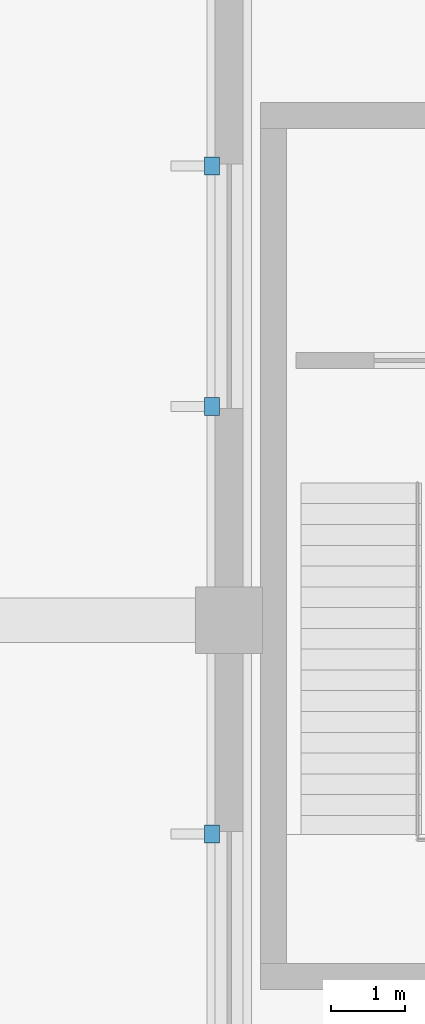
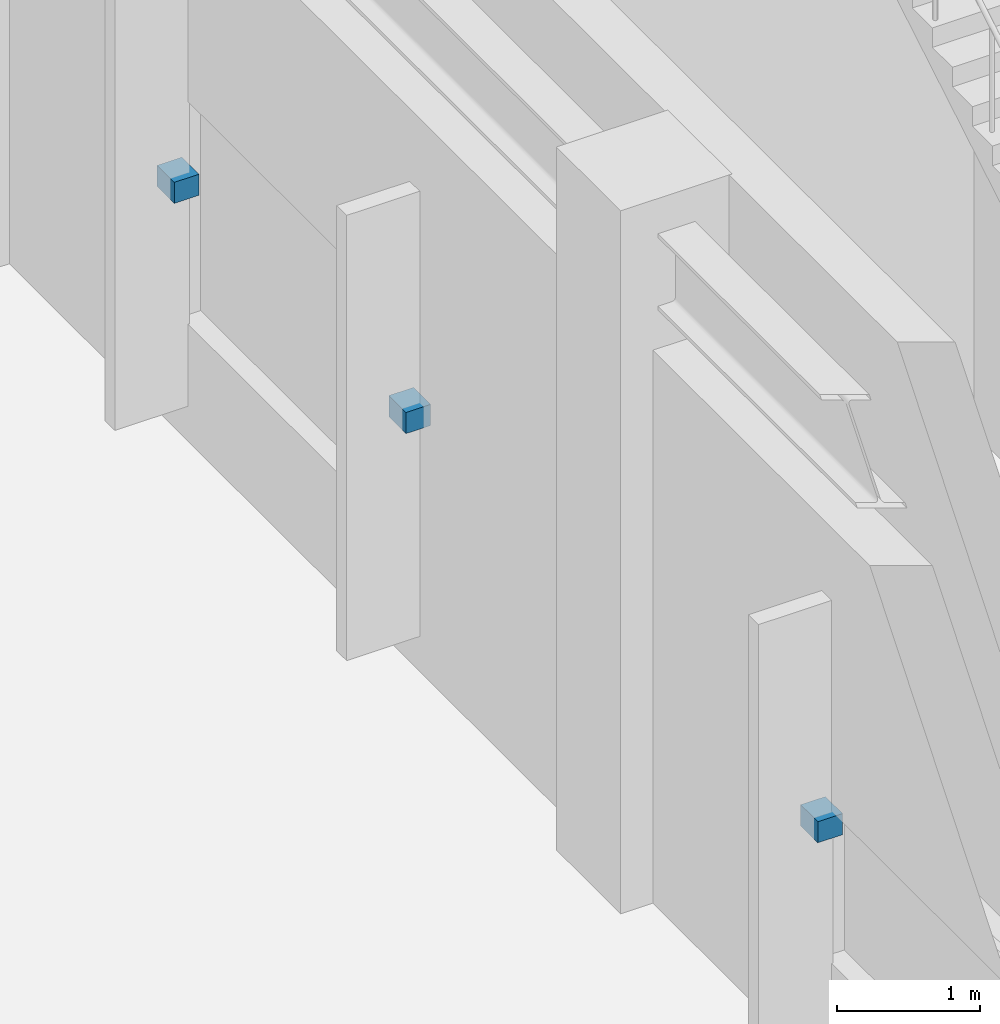
# One storey, part 73 of 91: 3 discrete accessories.
"""IFC4 building model written with IfcOpenShell, lengths in metres."""

from ifc_helpers import new_model, si_unit, direction, frame, origin, origin_2d, place, context, subcontext, project, spatial, rectangle, extrude, material, layer, layer_set, type_object, element, save


model = new_model("IFC4")

# Units and contexts
model_context = context("Model", 3, precision=1e-05, world=origin(), true_north=direction((0.0, 1.0)))
body_context = subcontext(model_context, "Body", "Model", "MODEL_VIEW")
ifc_project = project(units=[si_unit("LENGTHUNIT", "METRE"), si_unit("AREAUNIT", "SQUARE_METRE"), si_unit("VOLUMEUNIT", "CUBIC_METRE"), si_unit("PLANEANGLEUNIT", "RADIAN"), si_unit("MASSUNIT", "GRAM", prefix="KILO")], contexts=[model_context])

# Site, building, storey
site_placement = place(None, origin())
site = spatial("IfcSite", under=ifc_project, at=site_placement, CompositionType="ELEMENT")
building_placement = place(site_placement, origin())
building = spatial("IfcBuilding", under=site, at=building_placement, Name="Dornveld Trade and Exhibition Forum", CompositionType="ELEMENT")
storey_placement = place(building_placement, origin())
storey = spatial("IfcBuildingStorey", under=building, at=storey_placement, Name="L00", CompositionType="ELEMENT", Elevation=0.0)

# Discrete accessories
ifc_material = material(Name="Steel S355J2", Category="steel")
ifc_layer = layer(ifc_material, 0.179931640625)
ifc_layer_set = layer_set([ifc_layer], Name="Steel S355J2")
discrete_accessory_type = type_object("IfcDiscreteAccessoryType", Name="ACC-BRK-STL", PredefinedType="BRACKET", material=ifc_layer_set)
for number, where, z_axis, x_axis, name in (
    (1, (17.77001953125, 114.1201171875, 2.10986328125), (0.0, 0.0, 1.0), (0.0, -1.0, 0.0), "L00 solar fin bracket 81"),
    (2, (17.77001953125, 123.1201171875, 2.10986328125), (0.0, 0.0, 1.0), (0.0, -1.0, 0.0), "L00 solar fin bracket 87"),
    (3, (17.77001953125, 119.8798828125, 2.10986328125), (0.0, 0.0, 1.0), (0.0, -1.0, 0.0), "L00 solar fin bracket 88"),
):
    element("IfcDiscreteAccessory", number, at=place(storey_placement, frame(where, z_axis=z_axis, x_axis=x_axis)), inside=storey, type_object=discrete_accessory_type, Name=name, PredefinedType="BRACKET", context=body_context, shape_type="SweptSolid", body=[
        extrude(rectangle(XDim=0.239990234375, YDim=0.199951171875, at=origin_2d()), origin(), (0.0, 0.0, 1.0), 0.179931640625),
    ])

save(model, "model.ifc")
